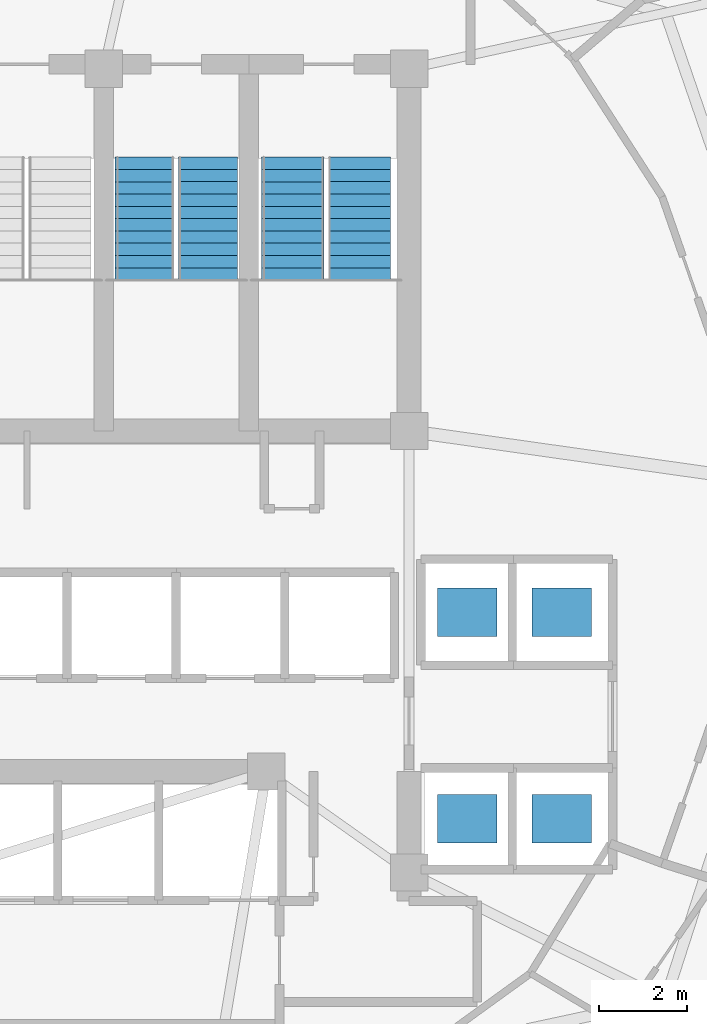
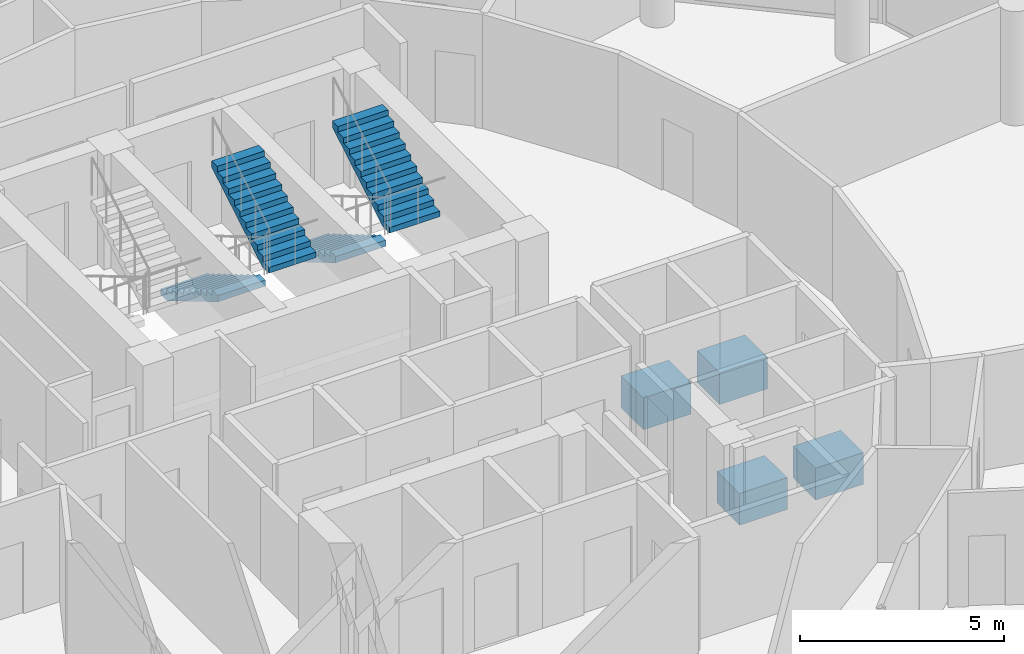
# One storey, part 26 of 27: 4 discrete accessories, 4 stair flights, 2 elements without a shape of their own.
"""IFC4 building model written with IfcOpenShell, lengths in metres."""

from ifc_helpers import new_model, si_unit, direction, frame, origin, origin_2d, place, context, subcontext, project, spatial, polyline, rectangle, outline, extrude, material, type_object, element, aggregate, save


model = new_model("IFC4")

# Units and contexts
model_context = context("Model", 3, precision=1e-05, world=origin(), true_north=direction((0.0, 1.0)))
body_context = subcontext(model_context, "Body", "Model", "MODEL_VIEW")
ifc_project = project(units=[si_unit("LENGTHUNIT", "METRE"), si_unit("AREAUNIT", "SQUARE_METRE"), si_unit("VOLUMEUNIT", "CUBIC_METRE"), si_unit("PLANEANGLEUNIT", "RADIAN"), si_unit("MASSUNIT", "GRAM", prefix="KILO")], contexts=[model_context])

# Site, building, storey
site_placement = place(None, origin())
site = spatial("IfcSite", under=ifc_project, at=site_placement, CompositionType="ELEMENT")
building_placement = place(site_placement, origin())
building = spatial("IfcBuilding", under=site, at=building_placement, Name="Nuhasar Tower", CompositionType="ELEMENT")
storey_placement = place(building_placement, frame((0.0, 0.0, 208.14990234375)))
storey = spatial("IfcBuildingStorey", under=building, at=storey_placement, Name="L50", CompositionType="ELEMENT", Elevation=208.14990234375)

# Stair, stair flights
ifc_material_1 = material(Name="Concrete C45/55", Category="concrete")
stair_type_1 = type_object("IfcStairType", Name="STR-ST-02-2F-22R-1659", PredefinedType="HALF_TURN_STAIR", material=ifc_material_1)
stair_1_placement = place(storey_placement, origin())
stair_1 = element("IfcStair", 1, at=stair_1_placement, inside=storey, type_object=stair_type_1, Name="L50 Exit Stair ST-02", PredefinedType="HALF_TURN_STAIR")
stair_flight_type_1 = type_object("IfcStairFlightType", Name="SFL-ST-02-11R-1659", PredefinedType="STRAIGHT", material=ifc_material_1)
stair_flight_1_placement = place(storey_placement, frame((41.64990234375, 35.284912109375, 0.0), z_axis=(0.0, 0.0, 1.0), x_axis=(0.0, -1.0, 0.0)))
stair_flight_1 = element("IfcStairFlight", 2, at=stair_flight_1_placement, type_object=stair_flight_type_1, Name="ST-02 flight 1", NumberOfRisers=11, NumberOfTreads=10, PredefinedType="STRAIGHT", RiserHeight=0.165909, TreadLength=0.28, context=body_context, shape_type="SweptSolid", body=[
    extrude(outline(polyline([(0.0, 0.0), (0.0, 0.166015625), (0.280029296875, 0.166015625), (0.280029296875, 0.331787109375), (0.56005859375, 0.331787109375), (0.56005859375, 0.497802734375), (0.840087890625, 0.497802734375), (0.840087890625, 0.66357421875), (1.1201171875, 0.66357421875), (1.1201171875, 0.82958984375), (1.39990234375, 0.82958984375), (1.39990234375, 0.995361328125), (1.679931640625, 0.995361328125), (1.679931640625, 1.161376953125), (1.9599609375, 1.161376953125), (1.9599609375, 1.327392578125), (2.239990234375, 1.327392578125), (2.239990234375, 1.4931640625), (2.52001953125, 1.4931640625), (2.52001953125, 1.6591796875), (2.800048828125, 1.6591796875), (2.800048828125, 1.824951171875), (2.800048828125, 1.47314453125), (0.313720703125, 0.0), (0.0, 0.0)])), frame((0.0, 0.7099609375, 0.0), z_axis=(0.0, -1.0, 0.0), x_axis=(1.0, 0.0, 0.0)), (0.0, 0.0, 1.0), 1.419921875),
])
stair_flight_2_placement = place(storey_placement, frame((43.169921875, 32.485107421875, 1.8251953125), z_axis=(0.0, 0.0, 1.0), x_axis=(0.0, 1.0, 0.0)))
stair_flight_2 = element("IfcStairFlight", 3, at=stair_flight_2_placement, type_object=stair_flight_type_1, Name="ST-02 flight 2", NumberOfRisers=11, NumberOfTreads=10, PredefinedType="STRAIGHT", RiserHeight=0.165909, TreadLength=0.28, context=body_context, shape_type="SweptSolid", body=[
    extrude(outline(polyline([(0.0, 0.0), (0.0, 0.166015625), (0.280029296875, 0.166015625), (0.280029296875, 0.331787109375), (0.56005859375, 0.331787109375), (0.56005859375, 0.497802734375), (0.840087890625, 0.497802734375), (0.840087890625, 0.66357421875), (1.1201171875, 0.66357421875), (1.1201171875, 0.82958984375), (1.39990234375, 0.82958984375), (1.39990234375, 0.995361328125), (1.679931640625, 0.995361328125), (1.679931640625, 1.161376953125), (1.9599609375, 1.161376953125), (1.9599609375, 1.327392578125), (2.239990234375, 1.327392578125), (2.239990234375, 1.4931640625), (2.52001953125, 1.4931640625), (2.52001953125, 1.6591796875), (2.800048828125, 1.6591796875), (2.800048828125, 1.824951171875), (2.800048828125, 1.47314453125), (0.313720703125, 0.0), (0.0, 0.0)])), frame((0.0, 0.7099609375, 0.0), z_axis=(0.0, -1.0, 0.0), x_axis=(1.0, 0.0, 0.0)), (0.0, 0.0, 1.0), 1.419921875),
])
aggregate(stair_1, [stair_flight_1, stair_flight_2])

stair_type_2 = type_object("IfcStairType", Name="STR-ST-03-2F-22R-1659", PredefinedType="HALF_TURN_STAIR", material=ifc_material_1)
stair_2_placement = place(storey_placement, origin())
stair_2 = element("IfcStair", 4, at=stair_2_placement, inside=storey, type_object=stair_type_2, Name="L50 Exit Stair ST-03", PredefinedType="HALF_TURN_STAIR")
stair_flight_type_2 = type_object("IfcStairFlightType", Name="SFL-ST-03-11R-1659", PredefinedType="STRAIGHT", material=ifc_material_1)
stair_flight_3_placement = place(storey_placement, frame((38.280029296875, 35.284912109375, 0.0), z_axis=(0.0, 0.0, 1.0), x_axis=(0.0, -1.0, 0.0)))
stair_flight_3 = element("IfcStairFlight", 5, at=stair_flight_3_placement, type_object=stair_flight_type_2, Name="ST-03 flight 1", NumberOfRisers=11, NumberOfTreads=10, PredefinedType="STRAIGHT", RiserHeight=0.165909, TreadLength=0.28, context=body_context, shape_type="SweptSolid", body=[
    extrude(outline(polyline([(0.0, 0.0), (0.0, 0.166015625), (0.280029296875, 0.166015625), (0.280029296875, 0.331787109375), (0.56005859375, 0.331787109375), (0.56005859375, 0.497802734375), (0.840087890625, 0.497802734375), (0.840087890625, 0.66357421875), (1.1201171875, 0.66357421875), (1.1201171875, 0.82958984375), (1.39990234375, 0.82958984375), (1.39990234375, 0.995361328125), (1.679931640625, 0.995361328125), (1.679931640625, 1.161376953125), (1.9599609375, 1.161376953125), (1.9599609375, 1.327392578125), (2.239990234375, 1.327392578125), (2.239990234375, 1.4931640625), (2.52001953125, 1.4931640625), (2.52001953125, 1.6591796875), (2.800048828125, 1.6591796875), (2.800048828125, 1.824951171875), (2.800048828125, 1.47314453125), (0.313720703125, 0.0), (0.0, 0.0)])), frame((0.0, 0.669921875, 0.0), z_axis=(0.0, -1.0, 0.0), x_axis=(1.0, 0.0, 0.0)), (0.0, 0.0, 1.0), 1.340087890625),
])
stair_flight_4_placement = place(storey_placement, frame((39.719970703125, 32.485107421875, 1.8251953125), z_axis=(0.0, 0.0, 1.0), x_axis=(0.0, 1.0, 0.0)))
stair_flight_4 = element("IfcStairFlight", 6, at=stair_flight_4_placement, type_object=stair_flight_type_2, Name="ST-03 flight 2", NumberOfRisers=11, NumberOfTreads=10, PredefinedType="STRAIGHT", RiserHeight=0.165909, TreadLength=0.28, context=body_context, shape_type="SweptSolid", body=[
    extrude(outline(polyline([(0.0, 0.0), (0.0, 0.166015625), (0.280029296875, 0.166015625), (0.280029296875, 0.331787109375), (0.56005859375, 0.331787109375), (0.56005859375, 0.497802734375), (0.840087890625, 0.497802734375), (0.840087890625, 0.66357421875), (1.1201171875, 0.66357421875), (1.1201171875, 0.82958984375), (1.39990234375, 0.82958984375), (1.39990234375, 0.995361328125), (1.679931640625, 0.995361328125), (1.679931640625, 1.161376953125), (1.9599609375, 1.161376953125), (1.9599609375, 1.327392578125), (2.239990234375, 1.327392578125), (2.239990234375, 1.4931640625), (2.52001953125, 1.4931640625), (2.52001953125, 1.6591796875), (2.800048828125, 1.6591796875), (2.800048828125, 1.824951171875), (2.800048828125, 1.47314453125), (0.313720703125, 0.0), (0.0, 0.0)])), frame((0.0, 0.669921875, 0.0), z_axis=(0.0, -1.0, 0.0), x_axis=(1.0, 0.0, 0.0)), (0.0, 0.0, 1.0), 1.340087890625),
])
aggregate(stair_2, [stair_flight_3, stair_flight_4])

# Discrete accessories
ifc_material_2 = material(Name="Steel S355", Category="steel")
discrete_accessory_type = type_object("IfcDiscreteAccessoryType", Name="ACC-LFT-MACHINE", PredefinedType="USERDEFINED", material=ifc_material_2)
for number, where, z_axis, x_axis, name in (
    (7, (45.625, 24.925048828125, 0.0), (0.0, 0.0, 1.0), (1.0, 0.0, 0.0), "Lift Traction Hoist Machine PL-M01"),
    (8, (47.77490234375, 24.925048828125, 0.0), (0.0, 0.0, 1.0), (1.0, 0.0, 0.0), "Lift Traction Hoist Machine PL-M02"),
    (9, (45.625, 20.22509765625, 0.0), (0.0, 0.0, 1.0), (1.0, 0.0, 0.0), "Lift Traction Hoist Machine PL-M03"),
    (10, (47.77490234375, 20.22509765625, 0.0), (0.0, 0.0, 1.0), (1.0, 0.0, 0.0), "Lift Traction Hoist Machine PL-M04"),
):
    element("IfcDiscreteAccessory", number, at=place(storey_placement, frame(where, z_axis=z_axis, x_axis=x_axis)), inside=storey, type_object=discrete_accessory_type, Name=name, ObjectType="LIFT_TRACTION_MACHINE", PredefinedType="USERDEFINED", context=body_context, shape_type="SweptSolid", body=[
        extrude(rectangle(XDim=1.35009765625, YDim=1.10009765625, at=origin_2d()), origin(), (0.0, 0.0, 1.0), 0.949951171875),
    ])

save(model, "model.ifc")
